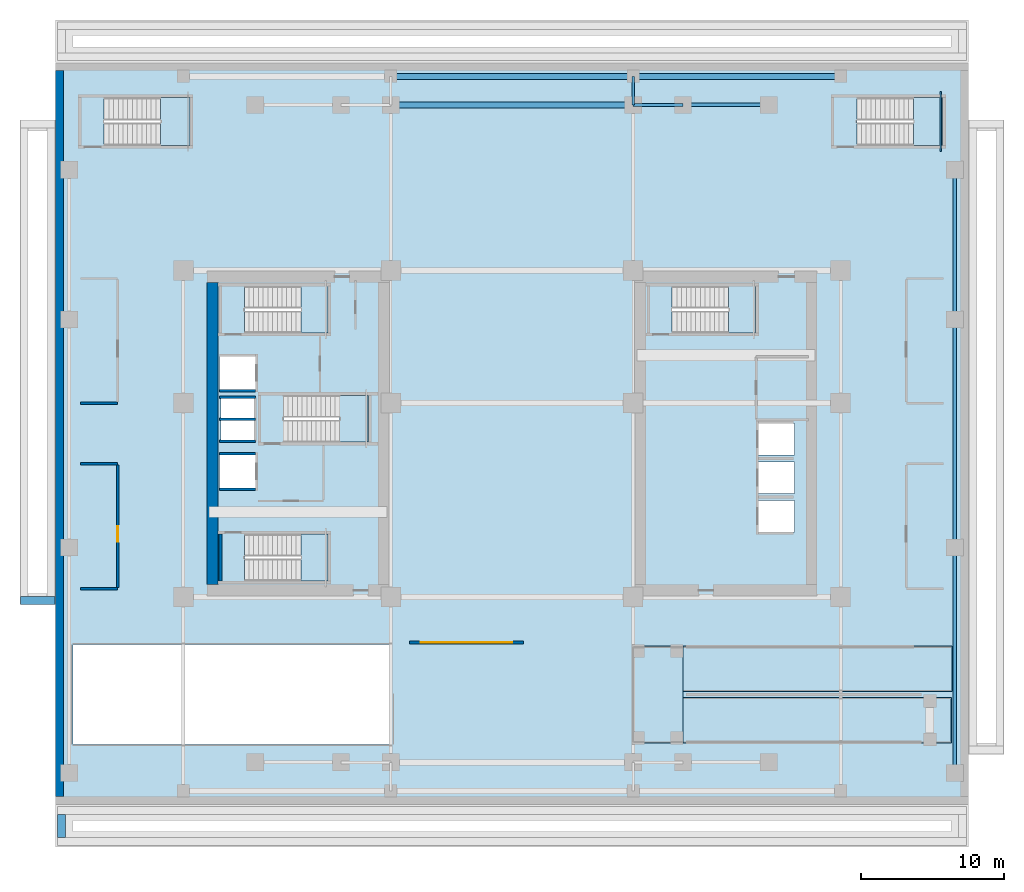
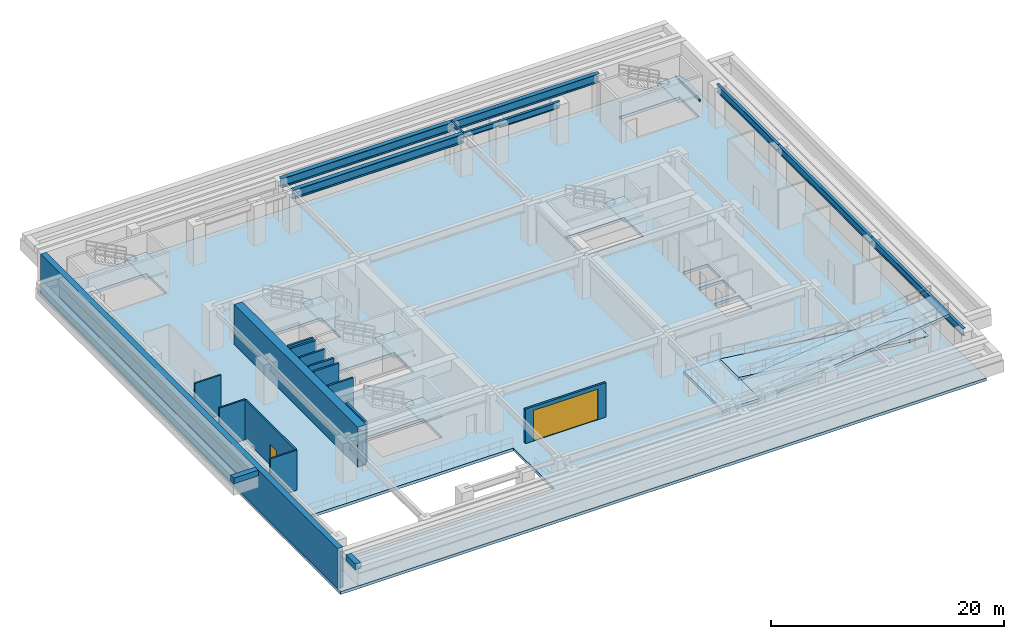
# One storey, part 2 of 9: 16 walls, 10 beams, 10 slabs, 2 doors, 2 openings, 6 elements without a shape of their own.
"""IFC4 building model written with IfcOpenShell, lengths in metres."""

import ifcopenshell
import ifcopenshell.guid

model = None  # the IFC model being written
_history = None  # IfcOwnerHistory: only IFC2X3 demands one
_inside = {}  # id of a spatial element -> (the spatial element, [elements in it])
_under = {}  # id of a project, library or spatial element -> (it, [spatial elements below it])
_declared = {}  # id of a project -> (the project, [libraries it declares])
_typed = {}  # id of a type object -> (the type object, [elements of that type])
_made_of = {}  # id of a material, layer set ... -> (it, [elements and type objects made of it])


def new_model(schema):
    """Start an empty IFC model of exactly this schema.

    Asked for "IFC4X3", IfcOpenShell would pick the latest addendum, in which some entities
    have other attributes; the version numbers below select the first issue.
    IFC2X3 requires an IfcOwnerHistory on every rooted entity: one is made here for all.
    """
    global model, _history
    if schema == "IFC4X3":
        model = ifcopenshell.file(schema_version=(4, 3, 0, 0))
    else:
        model = ifcopenshell.file(schema=schema)
    _inside.clear()
    _under.clear()
    _declared.clear()
    _typed.clear()
    _made_of.clear()
    _history = None
    if model.schema == "IFC2X3":
        org = make("IfcOrganization", Name="unknown")
        user = make(
            "IfcPersonAndOrganization",
            ThePerson=make("IfcPerson", FamilyName="unknown"),
            TheOrganization=org,
        )
        app = make(
            "IfcApplication",
            ApplicationDeveloper=org,
            Version="unknown",
            ApplicationFullName="unknown",
            ApplicationIdentifier="unknown",
        )
        _history = make(
            "IfcOwnerHistory",
            OwningUser=user,
            OwningApplication=app,
            ChangeAction="ADDED",
            CreationDate=0,
        )
    return model


def make(cls, **values):
    """One entity of the class cls with the attributes given. An attribute that is None is left unset."""
    return model.create_entity(
        cls, **{name: value for name, value in values.items() if value is not None}
    )


def rooted(cls, **values):
    """An entity with a GlobalId (a new one), such as an element, a storey or a relation."""
    return make(cls, GlobalId=ifcopenshell.guid.new(), OwnerHistory=_history, **values)


def si_unit(unit_type, name, prefix=None):
    """IfcSIUnit, for example si_unit("LENGTHUNIT", "METRE", prefix="MILLI")."""
    return make("IfcSIUnit", UnitType=unit_type, Prefix=prefix, Name=name)


def assignment(units):
    """IfcUnitAssignment: the units of a project."""
    return None if units is None else make("IfcUnitAssignment", Units=units)


def point(xyz):
    """IfcCartesianPoint."""
    return None if xyz is None else make("IfcCartesianPoint", Coordinates=xyz)


def direction(xyz):
    """IfcDirection."""
    return None if xyz is None else make("IfcDirection", DirectionRatios=xyz)


def frame(location, z_axis=None, x_axis=None):
    """IfcAxis2Placement3D, a coordinate frame: its origin and axes. An axis left out is left unset."""
    return make(
        "IfcAxis2Placement3D",
        Location=point(location),
        Axis=direction(z_axis),
        RefDirection=direction(x_axis),
    )


def frame_2d(location, x_axis=None):
    """IfcAxis2Placement2D, a coordinate frame in the plane: its origin and x axis."""
    return make(
        "IfcAxis2Placement2D", Location=point(location), RefDirection=direction(x_axis)
    )


def origin():
    """The frame at (0, 0, 0) with its axes left unset."""
    return frame((0.0, 0.0, 0.0))


def origin_2d():
    """The frame at (0, 0) in the plane with its x axis left unset."""
    return frame_2d((0.0, 0.0))


def place(relative_to, where):
    """IfcLocalPlacement: puts the frame where relative to a parent placement (None: the world)."""
    return make(
        "IfcLocalPlacement", PlacementRelTo=relative_to, RelativePlacement=where
    )


def context(
    kind, dimensions, precision=None, world=None, true_north=None, identifier=None
):
    """IfcGeometricRepresentationContext, for example the 3D "Model" context."""
    return make(
        "IfcGeometricRepresentationContext",
        ContextIdentifier=identifier,
        ContextType=kind,
        CoordinateSpaceDimension=dimensions,
        Precision=precision,
        WorldCoordinateSystem=world,
        TrueNorth=true_north,
    )


def subcontext(parent, identifier, kind, view, scale=None):
    """IfcGeometricRepresentationSubContext, for example "Body" below "Model"."""
    return make(
        "IfcGeometricRepresentationSubContext",
        ContextIdentifier=identifier,
        ContextType=kind,
        ParentContext=parent,
        TargetScale=scale,
        TargetView=view,
    )


def project(units=None, contexts=None):
    """IfcProject with its units and contexts."""
    return rooted(
        "IfcProject",
        Name="project",
        RepresentationContexts=contexts,
        UnitsInContext=assignment(units),
    )


def spatial(cls, under=None, at=None, **own):
    """A site, building, storey or space (cls), placed at a placement, below another one or the project."""
    s = rooted(cls, ObjectPlacement=at, **own)
    if under is not None:
        _under.setdefault(under.id(), (under, []))[1].append(s)
    return s


def polyline(points):
    """IfcPolyline through the points."""
    return make("IfcPolyline", Points=[point(p) for p in points])


def profile(cls, at=None, kind="AREA", **sizes):
    """A parametric profile (cls). Its sizes go by their IFC names, for example OverallWidth=200.0."""
    return make(cls, ProfileType=kind, Position=at, **sizes)


def rectangle(**sizes):
    """IfcRectangleProfileDef."""
    return profile("IfcRectangleProfileDef", **sizes)


def hollow_rectangle(**sizes):
    """IfcRectangleHollowProfileDef."""
    return profile("IfcRectangleHollowProfileDef", **sizes)


def i_section(**sizes):
    """IfcIShapeProfileDef."""
    return profile("IfcIShapeProfileDef", **sizes)


def outline(outer, holes=None, kind="AREA"):
    """IfcArbitraryClosedProfileDef: a profile drawn as a closed curve; with holes, ...WithVoids."""
    if holes is None:
        return make("IfcArbitraryClosedProfileDef", ProfileType=kind, OuterCurve=outer)
    return make(
        "IfcArbitraryProfileDefWithVoids",
        ProfileType=kind,
        OuterCurve=outer,
        InnerCurves=holes,
    )


def extrude(swept, where, along, depth):
    """IfcExtrudedAreaSolid: the profile swept, set in the frame where, extruded along a direction by depth."""
    return make(
        "IfcExtrudedAreaSolid",
        SweptArea=swept,
        Position=where,
        ExtrudedDirection=direction(along),
        Depth=depth,
    )


def shape(context_of_items, identifier, shape_type, items):
    """IfcShapeRepresentation: the items that make up one representation, for example the "Body"."""
    return make(
        "IfcShapeRepresentation",
        ContextOfItems=context_of_items,
        RepresentationIdentifier=identifier,
        RepresentationType=shape_type,
        Items=items,
    )


def source(mapping_origin, context_of_items, identifier, shape_type, items):
    """IfcRepresentationMap: a shape defined once, which mapped items show again and again."""
    return make(
        "IfcRepresentationMap",
        MappingOrigin=mapping_origin,
        MappedRepresentation=shape(context_of_items, identifier, shape_type, items),
    )


def transform(
    local_origin,
    x_axis=None,
    y_axis=None,
    z_axis=None,
    scale=None,
    scale2=None,
    scale3=None,
    uniform=True,
):
    """IfcCartesianTransformationOperator3D, or its non-uniform kind. x_axis, y_axis, z_axis: its Axis1, 2, 3."""
    if uniform:
        return make(
            "IfcCartesianTransformationOperator3D",
            Axis1=direction(x_axis),
            Axis2=direction(y_axis),
            LocalOrigin=point(local_origin),
            Scale=scale,
            Axis3=direction(z_axis),
        )
    return make(
        "IfcCartesianTransformationOperator3DnonUniform",
        Axis1=direction(x_axis),
        Axis2=direction(y_axis),
        LocalOrigin=point(local_origin),
        Scale=scale,
        Axis3=direction(z_axis),
        Scale2=scale2,
        Scale3=scale3,
    )


def mapped(mapping_source, mapping_target):
    """IfcMappedItem: shows the shape of a source again, moved by a transform."""
    return make(
        "IfcMappedItem", MappingSource=mapping_source, MappingTarget=mapping_target
    )


def material(Name=None, Category=None):
    """IfcMaterial."""
    return make("IfcMaterial", Name=Name, Category=Category)


def layer(
    of_material, thickness, ventilated=None, Name=None, Category=None, Priority=None
):
    """IfcMaterialLayer: one layer of a wall or slab, of a material (None: an air gap)."""
    return make(
        "IfcMaterialLayer",
        Material=of_material,
        LayerThickness=thickness,
        IsVentilated=ventilated,
        Name=Name,
        Category=Category,
        Priority=Priority,
    )


def layer_set(layers, Name=None):
    """IfcMaterialLayerSet."""
    return make("IfcMaterialLayerSet", MaterialLayers=layers, LayerSetName=Name)


def material_profile(
    of_material, cross_section, Name=None, Category=None, Priority=None
):
    """IfcMaterialProfile: a cross section and its material."""
    return make(
        "IfcMaterialProfile",
        Name=Name,
        Material=of_material,
        Profile=cross_section,
        Priority=Priority,
        Category=Category,
    )


def profile_set(profiles, Name=None, composite=None):
    """IfcMaterialProfileSet."""
    return make(
        "IfcMaterialProfileSet",
        Name=Name,
        MaterialProfiles=profiles,
        CompositeProfile=composite,
    )


def made_of(thing, what):
    """Note that an element or type object is made of a material, layer set ...; save() writes the relation."""
    if what is not None:
        _made_of.setdefault(what.id(), (what, []))[1].append(thing)
    return thing


def type_object(cls, material=None, **own):
    """A type object (cls), such as IfcWallType, which elements share."""
    return made_of(rooted(cls, **own), material)


def element(
    cls,
    number,
    at=None,
    inside=None,
    cuts=None,
    type_object=None,
    material=None,
    context=None,
    identifier="Body",
    shape_type=None,
    held_by="IfcProductDefinitionShape",
    body=None,
    shapes=None,
    **own,
):
    """One element of the class cls, such as IfcWall. Its Tag is "e" and its number.

    at: its placement. inside: the storey or other place that contains it. cuts: it is an
    opening in that element (IfcRelVoidsElement). A single representation is given by context,
    identifier, shape_type and body (its items); several are given by shapes. held_by: the class
    of the entity that holds the representations. save() writes the other relations.
    """
    e = rooted(cls, Tag="e%d" % number, ObjectPlacement=at, **own)
    if body is not None:
        shapes = [shape(context, identifier, shape_type, body)]
    if shapes is not None:
        e.Representation = make(held_by, Representations=shapes)
    if inside is not None:
        _inside.setdefault(inside.id(), (inside, []))[1].append(e)
    if cuts is not None:
        rooted(
            "IfcRelVoidsElement", RelatingBuildingElement=cuts, RelatedOpeningElement=e
        )
    if type_object is not None:
        _typed.setdefault(type_object.id(), (type_object, []))[1].append(e)
    return made_of(e, material)


def fill(opening, filler):
    """IfcRelFillsElement: the door or window that sits in an opening."""
    return rooted(
        "IfcRelFillsElement",
        RelatingOpeningElement=opening,
        RelatedBuildingElement=filler,
    )


def aggregate(whole, parts):
    """IfcRelAggregates: a whole, such as a stair, and the parts it consists of."""
    return rooted("IfcRelAggregates", RelatingObject=whole, RelatedObjects=parts)


def save(model, path):
    """Write the relations noted so far, then the file.

    IfcRelAggregates (storeys below a building ...), IfcRelContainedInSpatialStructure (elements
    in a storey), IfcRelDefinesByType, IfcRelAssociatesMaterial and IfcRelDeclares: one each for
    every whole, place, type object, material and project.
    """
    for whole, parts in _under.values():
        aggregate(whole, parts)
    for where, things in _inside.values():
        rooted(
            "IfcRelContainedInSpatialStructure",
            RelatedElements=things,
            RelatingStructure=where,
        )
    for kind, things in _typed.values():
        rooted("IfcRelDefinesByType", RelatedObjects=things, RelatingType=kind)
    for what, things in _made_of.values():
        rooted("IfcRelAssociatesMaterial", RelatedObjects=things, RelatingMaterial=what)
    for by, libraries in _declared.values():
        rooted("IfcRelDeclares", RelatingContext=by, RelatedDefinitions=libraries)
    model.write(path)


model = new_model("IFC4")

# Units and contexts
model_context = context("Model", 3, precision=1e-05, world=origin(), true_north=direction((0.0, 1.0)))
body_context = subcontext(model_context, "Body", "Model", "MODEL_VIEW")
ifc_project = project(units=[si_unit("LENGTHUNIT", "METRE"), si_unit("AREAUNIT", "SQUARE_METRE"), si_unit("VOLUMEUNIT", "CUBIC_METRE"), si_unit("PLANEANGLEUNIT", "RADIAN"), si_unit("MASSUNIT", "GRAM", prefix="KILO")], contexts=[model_context])

# Site, building, storey
site_placement = place(None, origin())
site = spatial("IfcSite", under=ifc_project, at=site_placement, CompositionType="ELEMENT")
building_placement = place(site_placement, origin())
building = spatial("IfcBuilding", under=site, at=building_placement, Name="Ocotamira Hotel", CompositionType="ELEMENT")
storey_placement = place(building_placement, frame((0.0, 0.0, -4.5)))
storey = spatial("IfcBuildingStorey", under=building, at=storey_placement, Name="B01", CompositionType="ELEMENT", Elevation=-4.5)

# Beams
ifc_material_1 = material(Name="Steel ASTM A500 Grade C", Category="steel")
ifc_material_profile_1 = material_profile(ifc_material_1, hollow_rectangle(XDim=0.10009765625, YDim=0.199951171875, WallThickness=0.008056640625, at=origin_2d()), Name="HSS200X100X8")
ifc_profile_set_1 = profile_set([ifc_material_profile_1], Name="Steel ASTM A500 Grade C")
beam_type_1 = type_object("IfcBeamType", Name="BM-STLDG-HSS200", PredefinedType="BEAM", material=ifc_profile_set_1)
shared_shape_1 = source(origin(), body_context, "Body", "SweptSolid", [
    extrude(hollow_rectangle(XDim=0.10009765625, YDim=0.199951171875, WallThickness=0.008056640625, at=origin_2d()), origin(), (0.0, 0.0, 1.0), 4.199951171875),
])
beam_1_placement = place(storey_placement, frame((62.06005859375, 45.780029296875, 1.949951171875), z_axis=(0.0, 1.0, 0.0), x_axis=(-1.0, 0.0, 0.0)))
element("IfcBeam", 1, at=beam_1_placement, inside=storey, type_object=beam_type_1, Name="B01 Stair ST-6 Landing Bearer 1", PredefinedType="BEAM", context=body_context, shape_type="MappedRepresentation", body=[
    mapped(shared_shape_1, transform((0.0, 0.0, 0.0), scale=1.0)),
])
ifc_material_2 = material(Name="Steel ASTM A992 Grade 50", Category="steel")
ifc_material_profile_2 = material_profile(ifc_material_2, i_section(OverallWidth=0.41796875, OverallDepth=0.927001953125, WebThickness=0.019287109375, FlangeThickness=0.031982421875, FilletRadius=0.02392578125, at=origin_2d()), Name="W36X231")
ifc_profile_set_2 = profile_set([ifc_material_profile_2], Name="Steel ASTM A992 Grade 50")
beam_type_2 = type_object("IfcBeamType", Name="BM-GIRD-W36X231", PredefinedType="BEAM", material=ifc_profile_set_2)
shared_shape_2 = source(origin(), body_context, "Body", "SweptSolid", [
    extrude(i_section(OverallWidth=0.41796875, OverallDepth=0.927001953125, WebThickness=0.019287109375, FlangeThickness=0.031982421875, FilletRadius=0.02392578125, at=origin_2d()), origin(), (0.0, 0.0, 1.0), 14.550048828125),
])
beam_2_placement = place(storey_placement, frame((40.5, 51.050048828125, 3.716552734375), z_axis=(1.0, 0.0, 0.0), x_axis=(0.0, 1.0, 0.0)))
element("IfcBeam", 2, at=beam_2_placement, inside=storey, type_object=beam_type_2, Name="B01 Girder Y51.05 X40.5-55.05", PredefinedType="BEAM", context=body_context, shape_type="MappedRepresentation", body=[
    mapped(shared_shape_2, transform((0.0, 0.0, 0.0), scale=1.0)),
])
ifc_material_profile_3 = material_profile(ifc_material_2, i_section(OverallWidth=0.256103515625, OverallDepth=0.693115234375, WebThickness=0.014404296875, FlangeThickness=0.023681640625, FilletRadius=0.01611328125, at=origin_2d()), Name="W27X114")
ifc_profile_set_3 = profile_set([ifc_material_profile_3], Name="Steel ASTM A992 Grade 50")
beam_type_3 = type_object("IfcBeamType", Name="BM-PRIM-W27X114", PredefinedType="BEAM", material=ifc_profile_set_3)
shared_shape_3 = source(origin(), body_context, "Body", "SweptSolid", [
    extrude(i_section(OverallWidth=0.256103515625, OverallDepth=0.693115234375, WebThickness=0.014404296875, FlangeThickness=0.023681640625, FilletRadius=0.01611328125, at=origin_2d()), origin(), (0.0, 0.0, 1.0), 6.0),
])
beam_3_placement = place(storey_placement, frame((44.0, 49.050048828125, 3.83349609375), z_axis=(1.0, 0.0, 0.0), x_axis=(0.0, 1.0, 0.0)))
element("IfcBeam", 3, at=beam_3_placement, inside=storey, type_object=beam_type_3, Name="B01 Girder Y49.05 X44-50", PredefinedType="BEAM", context=body_context, shape_type="MappedRepresentation", body=[
    mapped(shared_shape_3, transform((0.0, 0.0, 0.0), scale=1.0)),
])
ifc_material_profile_4 = material_profile(ifc_material_2, i_section(OverallWidth=0.2099609375, OverallDepth=0.537109375, WebThickness=0.010986328125, FlangeThickness=0.017333984375, FilletRadius=0.012939453125, at=origin_2d()), Name="W21X68")
ifc_profile_set_4 = profile_set([ifc_material_profile_4], Name="Steel ASTM A992 Grade 50")
beam_type_4 = type_object("IfcBeamType", Name="BM-SEC-W21X68", PredefinedType="JOIST", material=ifc_profile_set_4)
shared_shape_4 = source(origin(), body_context, "Body", "SweptSolid", [
    extrude(i_section(OverallWidth=0.2099609375, OverallDepth=0.537109375, WebThickness=0.010986328125, FlangeThickness=0.017333984375, FilletRadius=0.012939453125, at=origin_2d()), origin(), (0.0, 0.0, 1.0), 3.5),
])
beam_4_placement = place(storey_placement, frame((40.5, 49.050048828125, 3.91162109375), z_axis=(1.0, 0.0, 0.0), x_axis=(0.0, 1.0, 0.0)))
element("IfcBeam", 4, at=beam_4_placement, inside=storey, type_object=beam_type_4, Name="B01 Girder Y49.05 X40.5-44", PredefinedType="JOIST", context=body_context, shape_type="MappedRepresentation", body=[
    mapped(shared_shape_4, transform((0.0, 0.0, 0.0), scale=1.0)),
])
ifc_material_profile_5 = material_profile(ifc_material_2, i_section(OverallWidth=0.26611328125, OverallDepth=0.779052734375, WebThickness=0.0166015625, FlangeThickness=0.030029296875, FilletRadius=0.01806640625, at=origin_2d()), Name="W30X148")
ifc_profile_set_5 = profile_set([ifc_material_profile_5], Name="Steel ASTM A992 Grade 50")
beam_type_5 = type_object("IfcBeamType", Name="BM-GIRD-W30X148", PredefinedType="BEAM", material=ifc_profile_set_5)
shared_shape_5 = source(origin(), body_context, "Body", "SweptSolid", [
    extrude(i_section(OverallWidth=0.26611328125, OverallDepth=0.779052734375, WebThickness=0.0166015625, FlangeThickness=0.030029296875, FilletRadius=0.01806640625, at=origin_2d()), origin(), (0.0, 0.0, 1.0), 15.800048828125),
])
beam_5_placement = place(storey_placement, frame((63.050048828125, 2.199951171875, 3.79052734375), z_axis=(0.0, 1.0, 0.0), x_axis=(-1.0, 0.0, 0.0)))
element("IfcBeam", 5, at=beam_5_placement, inside=storey, type_object=beam_type_5, Name="B01 Beam X63.05 Y2.2-18", PredefinedType="BEAM", context=body_context, shape_type="MappedRepresentation", body=[
    mapped(shared_shape_5, transform((0.0, 0.0, 0.0), scale=1.0)),
])
shared_shape_6 = source(origin(), body_context, "Body", "SweptSolid", [
    extrude(i_section(OverallWidth=0.26611328125, OverallDepth=0.779052734375, WebThickness=0.0166015625, FlangeThickness=0.030029296875, FilletRadius=0.01806640625, at=origin_2d()), origin(), (0.0, 0.0, 1.0), 16.0),
])
beam_6_placement = place(storey_placement, frame((63.050048828125, 18.0, 3.79052734375), z_axis=(0.0, 1.0, 0.0), x_axis=(-1.0, 0.0, 0.0)))
element("IfcBeam", 6, at=beam_6_placement, inside=storey, type_object=beam_type_5, Name="B01 Beam X63.05 Y18-34", PredefinedType="BEAM", context=body_context, shape_type="MappedRepresentation", body=[
    mapped(shared_shape_6, transform((0.0, 0.0, 0.0), scale=1.0)),
])
shared_shape_7 = source(origin(), body_context, "Body", "SweptSolid", [
    extrude(i_section(OverallWidth=0.26611328125, OverallDepth=0.779052734375, WebThickness=0.0166015625, FlangeThickness=0.030029296875, FilletRadius=0.01806640625, at=origin_2d()), origin(), (0.0, 0.0, 1.0), 10.5),
])
beam_7_placement = place(storey_placement, frame((63.050048828125, 34.0, 3.79052734375), z_axis=(0.0, 1.0, 0.0), x_axis=(-1.0, 0.0, 0.0)))
element("IfcBeam", 7, at=beam_7_placement, inside=storey, type_object=beam_type_5, Name="B01 Beam X63.05 Y34-44.5", PredefinedType="BEAM", context=body_context, shape_type="MappedRepresentation", body=[
    mapped(shared_shape_7, transform((0.0, 0.0, 0.0), scale=1.0)),
])
ifc_material_profile_6 = material_profile(ifc_material_2, i_section(OverallWidth=0.177978515625, OverallDepth=0.403076171875, WebThickness=0.007568359375, FlangeThickness=0.010986328125, FilletRadius=0.010009765625, at=origin_2d()), Name="W16X36")
ifc_profile_set_6 = profile_set([ifc_material_profile_6], Name="Steel ASTM A992 Grade 50")
beam_type_6 = type_object("IfcBeamType", Name="BM-SEC-W16X36", PredefinedType="JOIST", material=ifc_profile_set_6)
shared_shape_8 = source(origin(), body_context, "Body", "SweptSolid", [
    extrude(i_section(OverallWidth=0.177978515625, OverallDepth=0.403076171875, WebThickness=0.007568359375, FlangeThickness=0.010986328125, FilletRadius=0.010009765625, at=origin_2d()), origin(), (0.0, 0.0, 1.0), 2.0),
])
beam_8_placement = place(storey_placement, frame((40.5, 49.050048828125, 3.978515625), z_axis=(0.0, 1.0, 0.0), x_axis=(-1.0, 0.0, 0.0)))
element("IfcBeam", 8, at=beam_8_placement, inside=storey, type_object=beam_type_6, Name="B01 Beam X40.5 Y49.05-51.05", PredefinedType="JOIST", context=body_context, shape_type="MappedRepresentation", body=[
    mapped(shared_shape_8, transform((0.0, 0.0, 0.0), scale=1.0)),
])
ifc_material_3 = material(Name="Steel ASTM A913 Grade 65", Category="steel")
ifc_material_profile_7 = material_profile(ifc_material_3, i_section(OverallWidth=0.423095703125, OverallDepth=0.947998046875, WebThickness=0.02392578125, FlangeThickness=0.042724609375, FilletRadius=0.02392578125, at=origin_2d()), Name="W36X302")
ifc_profile_set_7 = profile_set([ifc_material_profile_7], Name="Steel ASTM A913 Grade 65")
beam_type_7 = type_object("IfcBeamType", Name="BM-TRUSS-W36X302", PredefinedType="BEAM", material=ifc_profile_set_7)
shared_shape_9 = source(origin(), body_context, "Body", "SweptSolid", [
    extrude(i_section(OverallWidth=0.423095703125, OverallDepth=0.947998046875, WebThickness=0.02392578125, FlangeThickness=0.042724609375, FilletRadius=0.02392578125, at=origin_2d()), origin(), (0.0, 0.0, 1.0), 17.0),
])
for number, where, z_axis, x_axis, name in (
    (9, (23.5, 49.050048828125, 3.7060546875), (1.0, 0.0, 0.0), (0.0, 1.0, 0.0), "B01 Girder Y49.05 X23.5-40.5"),
    (10, (23.5, 51.050048828125, 3.7060546875), (1.0, 0.0, 0.0), (0.0, 1.0, 0.0), "B01 Girder Y51.05 X23.5-40.5"),
):
    element("IfcBeam", number, at=place(storey_placement, frame(where, z_axis=z_axis, x_axis=x_axis)), inside=storey, type_object=beam_type_7, Name=name, PredefinedType="BEAM", context=body_context, shape_type="MappedRepresentation", body=[
        mapped(shared_shape_9, transform((0.0, 0.0, 0.0), scale=1.0)),
    ])

# Slab
ifc_material_4 = material(Name="Concrete C40/50", Category="concrete")
ifc_layer_1 = layer(ifc_material_4, 0.300048828125)
ifc_layer_set_1 = layer_set([ifc_layer_1], Name="Concrete C40/50")
slab_type_1 = type_object("IfcSlabType", Name="SLB-B01-300", PredefinedType="FLOOR", material=ifc_layer_set_1)
slab_1_placement = place(storey_placement, frame((0.0, 0.0, -0.300048828125)))
element("IfcSlab", 11, at=slab_1_placement, inside=storey, type_object=slab_type_1, Name="B01 Structural Floor Slab", PredefinedType="FLOOR", context=body_context, shape_type="SweptSolid", body=[
    extrude(outline(polyline([(0.0, 0.0), (64.0, 0.0), (64.0, 52.0), (0.0, 52.0), (0.0, 0.0)]), holes=[polyline([(13.22998046875, 15.669921875), (19.090087890625, 15.669921875), (19.090087890625, 18.949951171875), (13.22998046875, 18.949951171875), (13.22998046875, 15.669921875)]), polyline([(13.22998046875, 33.050048828125), (19.090087890625, 33.050048828125), (19.090087890625, 36.330078125), (13.22998046875, 36.330078125), (13.22998046875, 33.050048828125)]), polyline([(15.9599609375, 25.39990234375), (21.919921875, 25.39990234375), (21.919921875, 28.679931640625), (15.9599609375, 28.679931640625), (15.9599609375, 25.39990234375)]), polyline([(43.22998046875, 33.050048828125), (49.090087890625, 33.050048828125), (49.090087890625, 36.330078125), (43.22998046875, 36.330078125), (43.22998046875, 33.050048828125)]), polyline([(3.39990234375, 46.199951171875), (9.419921875, 46.199951171875), (9.419921875, 49.56005859375), (3.39990234375, 49.56005859375), (3.39990234375, 46.199951171875)]), polyline([(56.179931640625, 46.199951171875), (62.199951171875, 46.199951171875), (62.199951171875, 49.56005859375), (56.179931640625, 49.56005859375), (56.179931640625, 46.199951171875)]), polyline([(49.300048828125, 19.10009765625), (51.800048828125, 19.10009765625), (51.800048828125, 21.300048828125), (49.300048828125, 21.300048828125), (49.300048828125, 19.10009765625)]), polyline([(49.300048828125, 21.800048828125), (51.800048828125, 21.800048828125), (51.800048828125, 24.0), (49.300048828125, 24.0), (49.300048828125, 21.800048828125)]), polyline([(49.300048828125, 24.5), (51.800048828125, 24.5), (51.800048828125, 26.699951171875), (49.300048828125, 26.699951171875), (49.300048828125, 24.5)]), polyline([(11.5, 22.199951171875), (14.0, 22.199951171875), (14.0, 24.5), (11.5, 24.5), (11.5, 22.199951171875)]), polyline([(11.5, 29.10009765625), (14.0, 29.10009765625), (14.0, 31.39990234375), (11.5, 31.39990234375), (11.5, 29.10009765625)]), polyline([(11.580078125, 25.550048828125), (13.919921875, 25.550048828125), (13.919921875, 26.89990234375), (11.580078125, 26.89990234375), (11.580078125, 25.550048828125)]), polyline([(11.580078125, 27.10009765625), (13.919921875, 27.10009765625), (13.919921875, 28.449951171875), (11.580078125, 28.449951171875), (11.580078125, 27.10009765625)]), polyline([(1.199951171875, 4.199951171875), (23.60009765625, 4.199951171875), (23.60009765625, 11.199951171875), (1.199951171875, 11.199951171875), (1.199951171875, 4.199951171875)]), polyline([(60.25, 7.89990234375), (62.85009765625, 7.89990234375), (62.85009765625, 11.10009765625), (60.25, 11.10009765625), (60.25, 7.89990234375)])]), origin(), (0.0, 0.0, 1.0), 0.300048828125),
])

# Stair, slab
stair_type_1 = type_object("IfcStairType", Name="ST-CORE-1560", PredefinedType="HALF_TURN_STAIR", material=ifc_material_4)
stair_1_placement = place(storey_placement, origin())
stair_1 = element("IfcStair", 12, at=stair_1_placement, inside=storey, type_object=stair_type_1, Name="B01 Exit Stair ST-1", PredefinedType="HALF_TURN_STAIR")
ifc_layer_2 = layer(ifc_material_4, 0.199951171875)
ifc_layer_set_2 = layer_set([ifc_layer_2], Name="Concrete C40/50")
slab_type_2 = type_object("IfcSlabType", Name="SLB-LAND-200", PredefinedType="LANDING", material=ifc_layer_set_2)
slab_2_placement = place(storey_placement, frame((0.0, 0.0, 2.050048828125)))
slab_2 = element("IfcSlab", 13, at=slab_2_placement, type_object=slab_type_2, Name="ST-1 landing 1", PredefinedType="LANDING", context=body_context, shape_type="SweptSolid", body=[
    extrude(outline(polyline([(17.18994140625, 15.669921875), (19.090087890625, 15.669921875), (19.090087890625, 18.949951171875), (17.18994140625, 18.949951171875), (17.18994140625, 15.669921875)])), origin(), (0.0, 0.0, 1.0), 0.199951171875),
])
aggregate(stair_1, [slab_2])

stair_2_placement = place(storey_placement, origin())
stair_2 = element("IfcStair", 14, at=stair_2_placement, inside=storey, type_object=stair_type_1, Name="B01 Exit Stair ST-2", PredefinedType="HALF_TURN_STAIR")
slab_3_placement = place(storey_placement, frame((0.0, 0.0, 2.050048828125)))
slab_3 = element("IfcSlab", 15, at=slab_3_placement, type_object=slab_type_2, Name="ST-2 landing 1", PredefinedType="LANDING", context=body_context, shape_type="SweptSolid", body=[
    extrude(outline(polyline([(17.18994140625, 33.050048828125), (19.090087890625, 33.050048828125), (19.090087890625, 36.330078125), (17.18994140625, 36.330078125), (17.18994140625, 33.050048828125)])), origin(), (0.0, 0.0, 1.0), 0.199951171875),
])
aggregate(stair_2, [slab_3])

stair_3_placement = place(storey_placement, origin())
stair_3 = element("IfcStair", 16, at=stair_3_placement, inside=storey, type_object=stair_type_1, Name="B01 Exit Stair ST-3", PredefinedType="HALF_TURN_STAIR")
slab_4_placement = place(storey_placement, frame((0.0, 0.0, 2.050048828125)))
slab_4 = element("IfcSlab", 17, at=slab_4_placement, type_object=slab_type_2, Name="ST-3 landing 1", PredefinedType="LANDING", context=body_context, shape_type="SweptSolid", body=[
    extrude(outline(polyline([(19.919921875, 25.39990234375), (21.919921875, 25.39990234375), (21.919921875, 28.679931640625), (19.919921875, 28.679931640625), (19.919921875, 25.39990234375)])), origin(), (0.0, 0.0, 1.0), 0.199951171875),
])
aggregate(stair_3, [slab_4])

stair_4_placement = place(storey_placement, origin())
stair_4 = element("IfcStair", 18, at=stair_4_placement, inside=storey, type_object=stair_type_1, Name="B01 Exit Stair ST-4", PredefinedType="HALF_TURN_STAIR")
slab_5_placement = place(storey_placement, frame((0.0, 0.0, 2.050048828125)))
slab_5 = element("IfcSlab", 19, at=slab_5_placement, type_object=slab_type_2, Name="ST-4 landing 1", PredefinedType="LANDING", context=body_context, shape_type="SweptSolid", body=[
    extrude(outline(polyline([(47.18994140625, 33.050048828125), (49.090087890625, 33.050048828125), (49.090087890625, 36.330078125), (47.18994140625, 36.330078125), (47.18994140625, 33.050048828125)])), origin(), (0.0, 0.0, 1.0), 0.199951171875),
])
aggregate(stair_4, [slab_5])

stair_type_2 = type_object("IfcStairType", Name="ST-POD-1600", PredefinedType="HALF_TURN_STAIR", material=ifc_material_4)
stair_5_placement = place(storey_placement, origin())
stair_5 = element("IfcStair", 20, at=stair_5_placement, inside=storey, type_object=stair_type_2, Name="B01 Exit Stair ST-5", PredefinedType="HALF_TURN_STAIR")
slab_6_placement = place(storey_placement, frame((0.0, 0.0, 2.050048828125)))
slab_6 = element("IfcSlab", 21, at=slab_6_placement, type_object=slab_type_2, Name="ST-5 landing 1", PredefinedType="LANDING", context=body_context, shape_type="SweptSolid", body=[
    extrude(outline(polyline([(7.360107421875, 46.199951171875), (9.419921875, 46.199951171875), (9.419921875, 49.56005859375), (7.360107421875, 49.56005859375), (7.360107421875, 46.199951171875)])), origin(), (0.0, 0.0, 1.0), 0.199951171875),
])
aggregate(stair_5, [slab_6])

stair_6_placement = place(storey_placement, origin())
stair_6 = element("IfcStair", 22, at=stair_6_placement, inside=storey, type_object=stair_type_2, Name="B01 Exit Stair ST-6", PredefinedType="HALF_TURN_STAIR")
slab_7_placement = place(storey_placement, frame((0.0, 0.0, 2.050048828125)))
slab_7 = element("IfcSlab", 23, at=slab_7_placement, type_object=slab_type_2, Name="ST-6 landing 1", PredefinedType="LANDING", context=body_context, shape_type="SweptSolid", body=[
    extrude(outline(polyline([(60.139892578125, 46.199951171875), (62.199951171875, 46.199951171875), (62.199951171875, 49.56005859375), (60.139892578125, 49.56005859375), (60.139892578125, 46.199951171875)])), origin(), (0.0, 0.0, 1.0), 0.199951171875),
])
aggregate(stair_6, [slab_7])

# Slabs
ifc_layer_3 = layer(ifc_material_4, 0.300048828125)
ifc_layer_set_3 = layer_set([ifc_layer_3], Name="Concrete C40/50")
slab_type_3 = type_object("IfcSlabType", Name="SLB-RAMP-300", PredefinedType="FLOOR", material=ifc_layer_set_3)
slab_8_placement = place(storey_placement, frame((62.85009765625, 7.89990234375, 0.0), z_axis=(0.118521447417, 0.0, 0.992951492522), x_axis=(-0.992951492522, 0.0, 0.118521447417)))
element("IfcSlab", 24, at=slab_8_placement, inside=storey, type_object=slab_type_3, Name="Car Park Vehicle Ramp VR-2 Lower Structural Slab", PredefinedType="FLOOR", context=body_context, shape_type="SweptSolid", body=[
    extrude(outline(polyline([(0.0, 0.0), (18.983905858652, 0.0), (18.983905858652, -3.2001953125), (0.0, -3.2001953125), (0.0, 0.0)])), origin(), (0.0, 0.0, -1.0), 0.300048828125),
])
slab_9_placement = place(storey_placement, frame((0.0, 0.0, 1.949951171875)))
element("IfcSlab", 25, at=slab_9_placement, inside=storey, type_object=slab_type_3, Name="Car Park Vehicle Ramp VR-2 Mid Landing Slab", PredefinedType="FLOOR", context=body_context, shape_type="SweptSolid", body=[
    extrude(outline(polyline([(40.39990234375, 4.300048828125), (44.0, 4.300048828125), (44.0, 11.10009765625), (40.39990234375, 11.10009765625), (40.39990234375, 4.300048828125)])), origin(), (0.0, 0.0, 1.0), 0.300048828125),
])
slab_10_placement = place(storey_placement, frame((44.0, 4.300048828125, 2.25), z_axis=(-0.118832521311, 0.0, 0.992914312455), x_axis=(0.992914312455, 0.0, 0.118832521311)))
element("IfcSlab", 26, at=slab_10_placement, inside=storey, type_object=slab_type_3, Name="Car Park Vehicle Ramp VR-2 Grade Arrival Structural Slab", PredefinedType="FLOOR", context=body_context, shape_type="SweptSolid", body=[
    extrude(outline(polyline([(0.0, 0.0), (18.9342107292563, 0.0), (18.9342107292563, 3.199951171875001), (0.0, 3.199951171875001), (0.0, 0.0)])), origin(), (0.0, 0.0, -1.0), 0.300048828125),
])

# Walls
ifc_material_5 = material(Name="Concrete C60/75", Category="concrete")
ifc_layer_4 = layer(ifc_material_5, 0.800048828125)
ifc_layer_set_4 = layer_set([ifc_layer_4], Name="Concrete C60/75")
wall_type_1 = type_object("IfcWallType", Name="WL-CORE-800", PredefinedType="SHEAR", material=ifc_layer_set_4)
wall_1_placement = place(storey_placement, frame((11.0, 15.39990234375, 0.0), z_axis=(0.0, 0.0, 1.0), x_axis=(0.0, 1.0, 0.0)))
element("IfcWall", 27, at=wall_1_placement, inside=storey, type_object=wall_type_1, Name="B01 Shear Core Wall WCORE-W", PredefinedType="SHEAR", context=body_context, shape_type="SweptSolid", body=[
    extrude(rectangle(XDim=21.2001953125, YDim=0.800048828125, at=frame_2d((10.60009765625, 0.0))), origin(), (0.0, 0.0, 1.0), 4.179931640625),
])
ifc_material_6 = material(Name="Acoustic double-layer fire gypsum board partition", Category="gypsum")
ifc_layer_5 = layer(ifc_material_6, 0.159912109375)
ifc_layer_set_5 = layer_set([ifc_layer_5], Name="Acoustic double-layer fire gypsum board partition")
wall_type_2 = type_object("IfcWallType", Name="WL-FIRE-160", PredefinedType="PARTITIONING", material=ifc_layer_set_5)
for number, where, z_axis, x_axis, name in (
    (28, (1.75, 15.1201171875, 0.0), (0.0, 0.0, 1.0), (1.0, 0.0, 0.0), "B01 Interior Wall PW-B01-B01-COMM-S"),
    (29, (1.75, 23.8798828125, 0.0), (0.0, 0.0, 1.0), (1.0, 0.0, 0.0), "B01 Interior Wall PW-B01-B01-COMM-N"),
):
    element("IfcWall", number, at=place(storey_placement, frame(where, z_axis=z_axis, x_axis=x_axis)), inside=storey, type_object=wall_type_2, Name=name, PredefinedType="PARTITIONING", context=body_context, shape_type="SweptSolid", body=[
        extrude(rectangle(XDim=2.60009765625, YDim=0.159912109375, at=frame_2d((1.300048828125, 0.0))), origin(), (0.0, 0.0, 1.0), 4.179931640625),
    ])

# Wall, opening, door
wall_2_placement = place(storey_placement, frame((4.35009765625, 15.199951171875, 0.0), z_axis=(0.0, 0.0, 1.0), x_axis=(0.0, 1.0, 0.0)))
wall_2 = element("IfcWall", 30, at=wall_2_placement, inside=storey, type_object=wall_type_2, Name="B01 Interior Wall PW-B01-B01-COMM-E", PredefinedType="PARTITIONING", context=body_context, shape_type="SweptSolid", body=[
    extrude(rectangle(XDim=8.60009765625, YDim=0.159912109375, at=frame_2d((4.300048828125, 0.0))), origin(), (0.0, 0.0, 1.0), 4.179931640625),
])
opening_1_placement = place(wall_2_placement, frame((3.199951171875, 0.0, 0.0)))
opening_1 = element("IfcOpeningElement", 31, at=opening_1_placement, cuts=wall_2, Name="Opening D-FR1", PredefinedType="OPENING", context=body_context, shape_type="SweptSolid", body=[
    extrude(rectangle(XDim=1.10009765625, YDim=2.14990234375, at=frame_2d((0.550048828125, 1.074951171875))), frame((0.0, 0.08984375, 0.0), z_axis=(0.0, -1.0, 0.0), x_axis=(1.0, 0.0, 0.0)), (0.0, 0.0, 1.0), 0.179931640625),
])
ifc_material_7 = material(Name="Fire-rated acoustic timber-veneer door", Category="wood")
door_type_1 = type_object("IfcDoorType", Name="DR-FIRE-1100", OperationType="NOTDEFINED", PredefinedType="DOOR", material=ifc_material_7)
shared_shape_10 = source(origin(), body_context, "Body", "SweptSolid", [
    extrude(rectangle(XDim=1.10009765625, YDim=2.14990234375, at=frame_2d((0.550048828125, 1.074951171875))), frame((0.0, 0.02490234375, 0.0), z_axis=(0.0, -1.0, 0.0), x_axis=(1.0, 0.0, 0.0)), (0.0, 0.0, 1.0), 0.050048828125),
])
door_1_placement = place(opening_1_placement, origin())
door_1 = element("IfcDoor", 32, at=door_1_placement, inside=storey, type_object=door_type_1, Name="B01 Door ID-B01-B01-COMM-D [ID-B01-B01-COMM-D]", OperationType="SINGLE_SWING_RIGHT", OverallHeight=2.14990234375, OverallWidth=1.10009765625, PredefinedType="DOOR", context=body_context, shape_type="MappedRepresentation", body=[
    mapped(shared_shape_10, transform((0.0, 0.0, 0.0), scale=1.0)),
])
fill(opening_1, door_1)

# Walls
wall_3_placement = place(storey_placement, frame((1.75, 28.1201171875, 0.0), z_axis=(0.0, 0.0, 1.0), x_axis=(1.0, 0.0, 0.0)))
element("IfcWall", 33, at=wall_3_placement, inside=storey, type_object=wall_type_2, Name="B01 Interior Wall PW-B01-B01-LOCK-S", PredefinedType="PARTITIONING", context=body_context, shape_type="SweptSolid", body=[
    extrude(rectangle(XDim=2.60009765625, YDim=0.159912109375, at=frame_2d((1.300048828125, 0.0))), origin(), (0.0, 0.0, 1.0), 4.179931640625),
])
ifc_material_8 = material(Name="Concrete C50/60", Category="concrete")
ifc_layer_6 = layer(ifc_material_8, 0.550048828125)
ifc_layer_set_6 = layer_set([ifc_layer_6], Name="Concrete C50/60")
wall_type_3 = type_object("IfcWallType", Name="WL-RET-550", PredefinedType="USERDEFINED", material=ifc_layer_set_6)
wall_4_placement = place(storey_placement, frame((0.39990234375, -2.324951171875, 3.64990234375), z_axis=(0.0, 0.0, 1.0), x_axis=(0.0, 1.0, 0.0)))
element("IfcWall", 34, at=wall_4_placement, inside=storey, type_object=wall_type_3, Name="B01 Shear Core Wall RW-PLZ-SOUTH-W", ObjectType="RETAINING WALL", PredefinedType="USERDEFINED", context=body_context, shape_type="SweptSolid", body=[
    extrude(rectangle(XDim=1.6298828125, YDim=0.550048828125, at=frame_2d((0.81494140625, 0.0))), origin(), (0.0, 0.0, 1.0), 0.60009765625),
])
wall_5_placement = place(storey_placement, frame((-2.47509765625, 14.300048828125, 3.64990234375), z_axis=(0.0, 0.0, 1.0), x_axis=(1.0, 0.0, 0.0)))
element("IfcWall", 35, at=wall_5_placement, inside=storey, type_object=wall_type_3, Name="B01 Shear Core Wall RW-EXW-S", ObjectType="RETAINING WALL", PredefinedType="USERDEFINED", context=body_context, shape_type="SweptSolid", body=[
    extrude(rectangle(XDim=2.43017578125, YDim=0.550048828125, at=frame_2d((1.215087890625, 0.0))), origin(), (0.0, 0.0, 1.0), 0.60009765625),
])
wall_6_placement = place(storey_placement, frame((0.27490234375, 0.550048828125, 0.0), z_axis=(0.0, 0.0, 1.0), x_axis=(0.0, 1.0, 0.0)))
element("IfcWall", 36, at=wall_6_placement, inside=storey, type_object=wall_type_3, Name="B01 Shear Core Wall RW-PERIM-W", ObjectType="RETAINING WALL", PredefinedType="USERDEFINED", context=body_context, shape_type="SweptSolid", body=[
    extrude(rectangle(XDim=50.89990234375, YDim=0.550048828125, at=frame_2d((25.449951171875, 0.0))), origin(), (0.0, 0.0, 1.0), 4.179931640625),
])
ifc_material_9 = material(Name="Fire-rated gypsum shaftliner board assembly", Category="gypsum")
ifc_layer_7 = layer(ifc_material_9, 0.179931640625)
ifc_layer_set_7 = layer_set([ifc_layer_7], Name="Fire-rated gypsum shaftliner board assembly")
wall_type_4 = type_object("IfcWallType", Name="WL-SHAFT-180", PredefinedType="SOLIDWALL", material=ifc_layer_set_7)
for number, where, z_axis, x_axis, name in (
    (37, (11.5, 22.110107421875, 0.0), (0.0, 0.0, 1.0), (1.0, 0.0, 0.0), "B01 Interior Wall PW-B01-LFW-LF-FSAE1-S"),
    (38, (11.5, 24.590087890625, 0.0), (0.0, 0.0, 1.0), (1.0, 0.0, 0.0), "B01 Interior Wall PW-B01-LFW-LF-FSAE1-N"),
    (39, (11.5, 29.010009765625, 0.0), (0.0, 0.0, 1.0), (1.0, 0.0, 0.0), "B01 Interior Wall PW-B01-LFW-LF-FSAE2-S"),
):
    element("IfcWall", number, at=place(storey_placement, frame(where, z_axis=z_axis, x_axis=x_axis)), inside=storey, type_object=wall_type_4, Name=name, PredefinedType="SOLIDWALL", context=body_context, shape_type="SweptSolid", body=[
        extrude(rectangle(XDim=2.5, YDim=0.179931640625, at=frame_2d((1.25, 0.0))), origin(), (0.0, 0.0, 1.0), 4.179931640625),
    ])
for number, where, z_axis, x_axis, name in (
    (40, (11.5, 25.4599609375, 0.0), (0.0, 0.0, 1.0), (1.0, 0.0, 0.0), "B01 Interior Wall PW-B01-RSW-S"),
    (41, (11.5, 27.0, 0.0), (0.0, 0.0, 1.0), (1.0, 0.0, 0.0), "B01 Interior Wall PW-B01-RSW-MID"),
    (42, (11.5, 28.5400390625, 0.0), (0.0, 0.0, 1.0), (1.0, 0.0, 0.0), "B01 Interior Wall PW-B01-RSW-N"),
):
    element("IfcWall", number, at=place(storey_placement, frame(where, z_axis=z_axis, x_axis=x_axis)), inside=storey, type_object=wall_type_4, Name=name, PredefinedType="SOLIDWALL", context=body_context, shape_type="SweptSolid", body=[
        extrude(rectangle(XDim=2.510009765625, YDim=0.179931640625, at=frame_2d((1.2548828125, 0.0))), origin(), (0.0, 0.0, 1.0), 4.179931640625),
    ])

# Wall, opening, door
ifc_material_10 = material(Name="Concrete blockwork C30/37", Category="masonry")
ifc_layer_8 = layer(ifc_material_10, 0.199951171875)
ifc_layer_set_8 = layer_set([ifc_layer_8], Name="Concrete blockwork C30/37")
wall_type_5 = type_object("IfcWallType", Name="WL-SHAFT-200", PredefinedType="SOLIDWALL", material=ifc_layer_set_8)
wall_7_placement = place(storey_placement, frame((24.800048828125, 11.35009765625, 0.0), z_axis=(0.0, 0.0, 1.0), x_axis=(1.0, 0.0, 0.0)))
wall_7 = element("IfcWall", 43, at=wall_7_placement, inside=storey, type_object=wall_type_5, Name="B01 Vehicle Ramp Security Portal Wall", PredefinedType="SOLIDWALL", context=body_context, shape_type="SweptSolid", body=[
    extrude(rectangle(XDim=8.0, YDim=0.199951171875, at=frame_2d((4.0, 0.0))), origin(), (0.0, 0.0, 1.0), 3.60009765625),
])
opening_2_placement = place(wall_7_placement, frame((0.800048828125, 0.0, 0.0)))
opening_2 = element("IfcOpeningElement", 44, at=opening_2_placement, cuts=wall_7, Name="Opening VG-01", PredefinedType="OPENING", context=body_context, shape_type="SweptSolid", body=[
    extrude(rectangle(XDim=6.39990234375, YDim=3.199951171875, at=frame_2d((3.199951171875, 1.60009765625))), frame((0.0, 0.10986328125, 0.0), z_axis=(0.0, -1.0, 0.0), x_axis=(1.0, 0.0, 0.0)), (0.0, 0.0, 1.0), 0.219970703125),
])
ifc_material_11 = material(Name="Perforated pale-metal security shutter", Category="aluminium")
door_type_2 = type_object("IfcDoorType", Name="DR-GATE-6400", OperationType="NOTDEFINED", PredefinedType="GATE", material=ifc_material_11)
shared_shape_11 = source(origin(), body_context, "Body", "SweptSolid", [
    extrude(rectangle(XDim=6.39990234375, YDim=3.199951171875, at=frame_2d((3.199951171875, 1.60009765625))), frame((0.0, 0.02490234375, 0.0), z_axis=(0.0, -1.0, 0.0), x_axis=(1.0, 0.0, 0.0)), (0.0, 0.0, 1.0), 0.050048828125),
])
door_2_placement = place(opening_2_placement, origin())
door_2 = element("IfcDoor", 45, at=door_2_placement, inside=storey, type_object=door_type_2, Name="B01 Vehicle Ramp Security Roller Shutter Gate VG-B01 [VG-B01]", OperationType="ROLLINGUP", OverallHeight=3.199951171875, OverallWidth=6.39990234375, PredefinedType="GATE", context=body_context, shape_type="MappedRepresentation", body=[
    mapped(shared_shape_11, transform((0.0, 0.0, 0.0), scale=1.0)),
])
fill(opening_2, door_2)

# Wall
ifc_layer_9 = layer(ifc_material_8, 0.219970703125)
ifc_layer_set_9 = layer_set([ifc_layer_9], Name="Concrete C50/60")
wall_type_6 = type_object("IfcWallType", Name="WL-STAIR-220", PredefinedType="SHEAR", material=ifc_layer_set_9)
wall_8_placement = place(storey_placement, frame((11.56005859375, 15.669921875, 0.0), z_axis=(0.0, 0.0, 1.0), x_axis=(0.0, 1.0, 0.0)))
element("IfcWall", 46, at=wall_8_placement, inside=storey, type_object=wall_type_6, Name="B01 Stair Shaft Structural Wall ST-1-W", PredefinedType="SHEAR", context=body_context, shape_type="SweptSolid", body=[
    extrude(rectangle(XDim=3.280029296875, YDim=0.219970703125, at=frame_2d((1.64013671875, 0.0))), origin(), (0.0, 0.0, 1.0), 4.300048828125),
])

save(model, "model.ifc")
